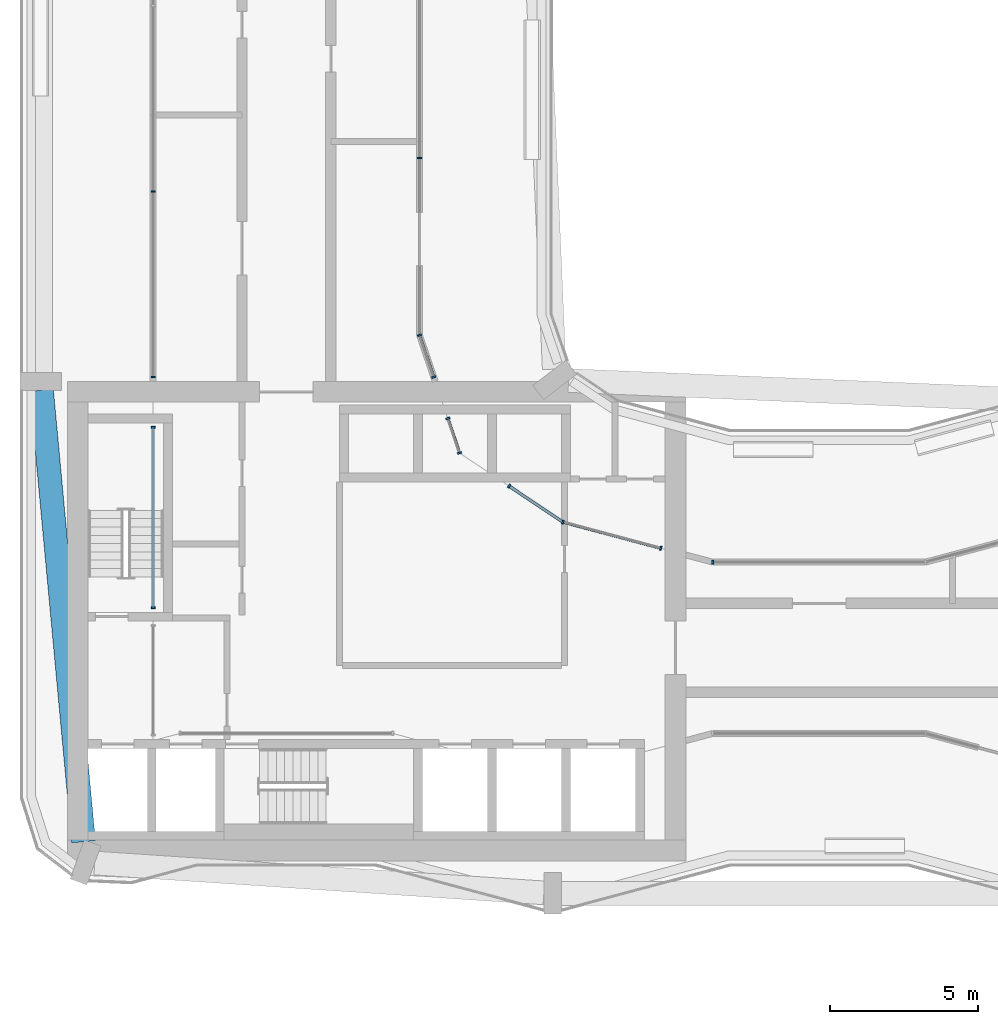
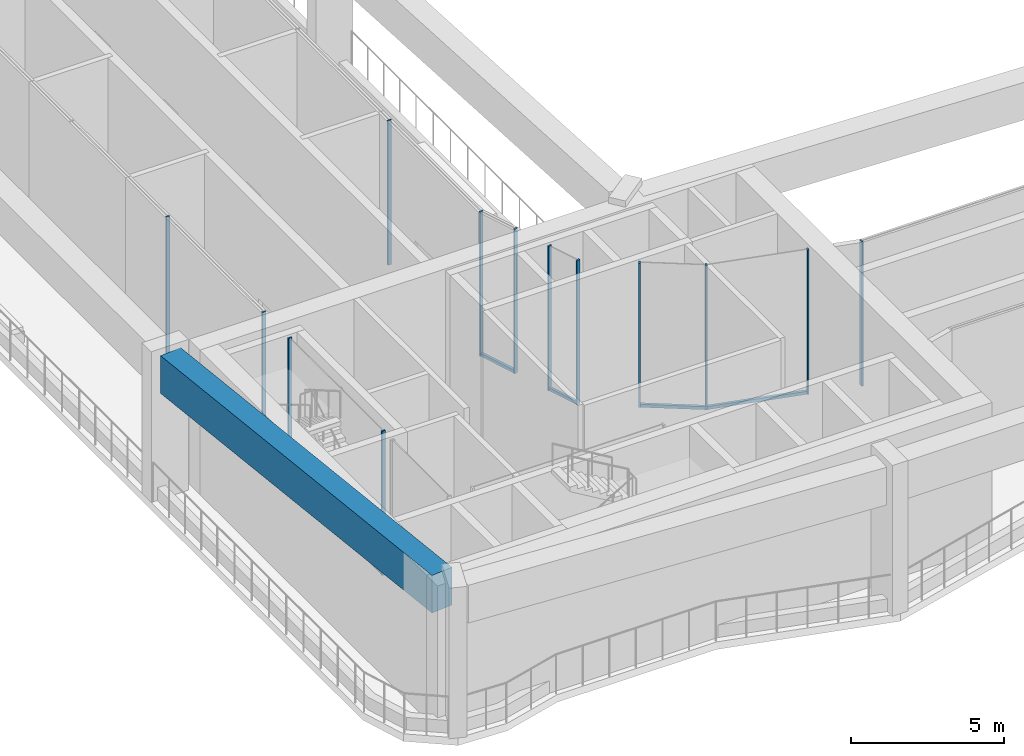
# One storey, part 3 of 24: 18 members, 1 beam, 8 elements without a shape of their own.
"""IFC4 building model written with IfcOpenShell, lengths in metres."""

from ifc_helpers import new_model, si_unit, direction, frame, origin, origin_2d, place, context, subcontext, project, spatial, rectangle, extrude, material, layer, layer_set, material_profile, profile_set, type_object, element, aggregate, save


model = new_model("IFC4")

# Units and contexts
model_context = context("Model", 3, precision=1e-05, world=origin(), true_north=direction((0.0, 1.0)))
body_context = subcontext(model_context, "Body", "Model", "MODEL_VIEW")
ifc_project = project(units=[si_unit("LENGTHUNIT", "METRE"), si_unit("AREAUNIT", "SQUARE_METRE"), si_unit("VOLUMEUNIT", "CUBIC_METRE"), si_unit("PLANEANGLEUNIT", "RADIAN"), si_unit("MASSUNIT", "GRAM", prefix="KILO")], contexts=[model_context])

# Site, building, storey
site_placement = place(None, origin())
site = spatial("IfcSite", under=ifc_project, at=site_placement, CompositionType="ELEMENT")
building_placement = place(site_placement, origin())
building = spatial("IfcBuilding", under=site, at=building_placement, Name="Plateau Cross Towers", CompositionType="ELEMENT")
storey_placement = place(building_placement, frame((0.0, 0.0, 72.300048828125)))
storey = spatial("IfcBuildingStorey", under=building, at=storey_placement, Name="L18", CompositionType="ELEMENT", Elevation=72.300048828125)

# Beam
ifc_material_1 = material(Name="Concrete C60/75", Category="concrete")
ifc_material_profile_1 = material_profile(ifc_material_1, rectangle(XDim=0.800048828125, YDim=1.5, at=origin_2d()), Name="RC 800x1500")
ifc_profile_set_1 = profile_set([ifc_material_profile_1], Name="Concrete C60/75")
beam_type = type_object("IfcBeamType", Name="Belt beam RC 800x1500", PredefinedType="BEAM", material=ifc_profile_set_1)
beam_placement = place(storey_placement, frame((0.72802734375, 17.699951171875, 5.0), z_axis=(0.092702367319, -0.995693864144, 0.0), x_axis=(0.995693864144, 0.092702367319, 0.0)))
element("IfcBeam", 1, at=beam_placement, inside=storey, type_object=beam_type, Name="BELT-L18-11", PredefinedType="BEAM", context=body_context, shape_type="SweptSolid", body=[
    extrude(rectangle(XDim=0.800048828125, YDim=1.5, at=origin_2d()), origin(), (0.0, 0.0, 1.0), 15.319580078125),
])

# Curtain wall, members
ifc_material_2 = material(Name="Dark low-iron glass", Category="glass")
ifc_layer = layer(ifc_material_2, 0.239990234375)
ifc_layer_set = layer_set([ifc_layer], Name="Dark low-iron glass")
curtain_wall_type = type_object("IfcCurtainWallType", Name="Curtain wall flush unitised CW-B", PredefinedType="NOTDEFINED", material=ifc_layer_set)
curtain_wall_1_placement = place(storey_placement, origin())
curtain_wall_1 = element("IfcCurtainWall", 2, at=curtain_wall_1_placement, inside=storey, type_object=curtain_wall_type, Name="ENV/A/L18/inner0_45_104", PredefinedType="NOTDEFINED")
ifc_material_3 = material(Name="Black anodised aluminium", Category="aluminium")
ifc_material_profile_2 = material_profile(ifc_material_3, rectangle(XDim=0.06005859375, YDim=0.139892578125, at=origin_2d()), Name="MULLION 60x140")
ifc_profile_set_2 = profile_set([ifc_material_profile_2], Name="Black anodised aluminium")
member_type_1 = type_object("IfcMemberType", Name="Mullion 60x140 flush unitised", PredefinedType="MULLION", material=ifc_profile_set_2)
member_1_placement = place(storey_placement, frame((4.5, 10.35009765625, 0.0), z_axis=(0.0, 0.0, 1.0), x_axis=(0.0, 1.0, 0.0)))
member_1 = element("IfcMember", 3, at=member_1_placement, type_object=member_type_1, Name="CW-B mullion 1", PredefinedType="MULLION", context=body_context, shape_type="SweptSolid", body=[
    extrude(rectangle(XDim=0.06005859375, YDim=0.139892578125, at=origin_2d()), origin(), (0.0, 0.0, 1.0), 5.75),
])
member_2_placement = place(storey_placement, frame((4.5, 16.449951171875, 0.0), z_axis=(0.0, 0.0, 1.0), x_axis=(0.0, 1.0, 0.0)))
member_2 = element("IfcMember", 4, at=member_2_placement, type_object=member_type_1, Name="CW-B mullion 2", PredefinedType="MULLION", context=body_context, shape_type="SweptSolid", body=[
    extrude(rectangle(XDim=0.06005859375, YDim=0.139892578125, at=origin_2d()), origin(), (0.0, 0.0, 1.0), 5.75),
])

curtain_wall_2_placement = place(storey_placement, origin())
curtain_wall_2 = element("IfcCurtainWall", 5, at=curtain_wall_2_placement, inside=storey, type_object=curtain_wall_type, Name="ENV/A/L18/inner0_45_182", PredefinedType="NOTDEFINED")
member_3_placement = place(storey_placement, frame((4.5, 18.14990234375, 0.0), z_axis=(0.0, 0.0, 1.0), x_axis=(0.0, 1.0, 0.0)))
member_3 = element("IfcMember", 6, at=member_3_placement, type_object=member_type_1, Name="CW-B mullion 1", PredefinedType="MULLION", context=body_context, shape_type="SweptSolid", body=[
    extrude(rectangle(XDim=0.06005859375, YDim=0.139892578125, at=origin_2d()), origin(), (0.0, 0.0, 1.0), 5.75),
])
member_4_placement = place(storey_placement, frame((4.5, 24.419921875, 0.0), z_axis=(0.0, 0.0, 1.0), x_axis=(0.0, 1.0, 0.0)))
member_4 = element("IfcMember", 7, at=member_4_placement, type_object=member_type_1, Name="CW-B mullion 2", PredefinedType="MULLION", context=body_context, shape_type="SweptSolid", body=[
    extrude(rectangle(XDim=0.06005859375, YDim=0.139892578125, at=origin_2d()), origin(), (0.0, 0.0, 1.0), 5.75),
])
aggregate(curtain_wall_2, [member_3, member_4])

# Curtain wall, member
curtain_wall_3_placement = place(storey_placement, origin())
curtain_wall_3 = element("IfcCurtainWall", 8, at=curtain_wall_3_placement, inside=storey, type_object=curtain_wall_type, Name="ENV/A/L18/inner0_135_495", PredefinedType="NOTDEFINED")
member_5_placement = place(storey_placement, frame((13.5, 25.54736328125, 0.0), z_axis=(0.0, 0.0, 1.0), x_axis=(0.0, -1.0, 0.0)))
member_5 = element("IfcMember", 9, at=member_5_placement, type_object=member_type_1, Name="CW-B mullion 5", PredefinedType="MULLION", context=body_context, shape_type="SweptSolid", body=[
    extrude(rectangle(XDim=0.06005859375, YDim=0.139892578125, at=origin_2d()), origin(), (0.0, 0.0, 1.0), 5.75),
])
aggregate(curtain_wall_3, [member_5])

# Curtain wall, members
curtain_wall_4_placement = place(storey_placement, origin())
curtain_wall_4 = element("IfcCurtainWall", 10, at=curtain_wall_4_placement, inside=storey, type_object=curtain_wall_type, Name="ENV/A/L18/inner0_135_196", PredefinedType="NOTDEFINED")
member_6_placement = place(storey_placement, frame((13.5, 19.559326171875, 0.0), z_axis=(0.0, 0.0, 1.0), x_axis=(0.321469161574, -0.94692004845, 0.0)))
member_6 = element("IfcMember", 11, at=member_6_placement, type_object=member_type_1, Name="CW-B mullion 1", PredefinedType="MULLION", context=body_context, shape_type="SweptSolid", body=[
    extrude(rectangle(XDim=0.06005859375, YDim=0.139892578125, at=origin_2d()), origin(), (0.0, 0.0, 1.0), 5.75),
])
member_7_placement = place(storey_placement, frame((13.97900390625, 18.1484375, 0.0), z_axis=(0.0, 0.0, 1.0), x_axis=(0.321469161574, -0.94692004845, 0.0)))
member_7 = element("IfcMember", 12, at=member_7_placement, type_object=member_type_1, Name="CW-B mullion 2", PredefinedType="MULLION", context=body_context, shape_type="SweptSolid", body=[
    extrude(rectangle(XDim=0.06005859375, YDim=0.139892578125, at=origin_2d()), origin(), (0.0, 0.0, 1.0), 5.75),
])

curtain_wall_5_placement = place(storey_placement, origin())
curtain_wall_5 = element("IfcCurtainWall", 13, at=curtain_wall_5_placement, inside=storey, type_object=curtain_wall_type, Name="ENV/A/L18/inner0_145_168", PredefinedType="NOTDEFINED")
member_8_placement = place(storey_placement, frame((14.453125, 16.751708984375, 0.0), z_axis=(0.0, 0.0, 1.0), x_axis=(0.321469161574, -0.94692004845, 0.0)))
member_8 = element("IfcMember", 14, at=member_8_placement, type_object=member_type_1, Name="CW-B mullion 1", PredefinedType="MULLION", context=body_context, shape_type="SweptSolid", body=[
    extrude(rectangle(XDim=0.06005859375, YDim=0.139892578125, at=origin_2d()), origin(), (0.0, 0.0, 1.0), 5.75),
])
member_9_placement = place(storey_placement, frame((14.85009765625, 15.58251953125, 0.0), z_axis=(0.0, 0.0, 1.0), x_axis=(0.321469161574, -0.94692004845, 0.0)))
member_9 = element("IfcMember", 15, at=member_9_placement, type_object=member_type_1, Name="CW-B mullion 2", PredefinedType="MULLION", context=body_context, shape_type="SweptSolid", body=[
    extrude(rectangle(XDim=0.06005859375, YDim=0.139892578125, at=origin_2d()), origin(), (0.0, 0.0, 1.0), 5.75),
])

# Curtain wall, member
curtain_wall_6_placement = place(storey_placement, origin())
curtain_wall_6 = element("IfcCurtainWall", 16, at=curtain_wall_6_placement, inside=storey, type_object=curtain_wall_type, Name="ENV/A/L18/inner0_165_145", PredefinedType="NOTDEFINED")
member_10_placement = place(storey_placement, frame((16.525390625, 14.46337890625, 0.0), z_axis=(0.0, 0.0, 1.0), x_axis=(0.831521253329, -0.555492938984, 0.0)))
member_10 = element("IfcMember", 17, at=member_10_placement, type_object=member_type_1, Name="CW-B mullion 1", PredefinedType="MULLION", context=body_context, shape_type="SweptSolid", body=[
    extrude(rectangle(XDim=0.06005859375, YDim=0.139892578125, at=origin_2d()), origin(), (0.0, 0.0, 1.0), 5.75),
])

# Curtain wall, members
curtain_wall_7_placement = place(storey_placement, origin())
curtain_wall_7 = element("IfcCurtainWall", 18, at=curtain_wall_7_placement, inside=storey, type_object=curtain_wall_type, Name="ENV/A/L18/inner0_183_132", PredefinedType="NOTDEFINED")
member_11_placement = place(storey_placement, frame((18.342041015625, 13.249755859375, 0.0), z_axis=(0.0, 0.0, 1.0), x_axis=(0.965957995816, -0.258698956933, 0.0)))
member_11 = element("IfcMember", 19, at=member_11_placement, type_object=member_type_1, Name="CW-B mullion 1", PredefinedType="MULLION", context=body_context, shape_type="SweptSolid", body=[
    extrude(rectangle(XDim=0.06005859375, YDim=0.139892578125, at=origin_2d()), origin(), (0.0, 0.0, 1.0), 5.75),
])
member_12_placement = place(storey_placement, frame((21.651123046875, 12.363525390625, 0.0), z_axis=(0.0, 0.0, 1.0), x_axis=(0.965957995816, -0.258698956933, 0.0)))
member_12 = element("IfcMember", 20, at=member_12_placement, type_object=member_type_1, Name="CW-B mullion 2", PredefinedType="MULLION", context=body_context, shape_type="SweptSolid", body=[
    extrude(rectangle(XDim=0.06005859375, YDim=0.139892578125, at=origin_2d()), origin(), (0.0, 0.0, 1.0), 5.75),
])

# Curtain wall, member
curtain_wall_8_placement = place(storey_placement, origin())
curtain_wall_8 = element("IfcCurtainWall", 21, at=curtain_wall_8_placement, inside=storey, type_object=curtain_wall_type, Name="ENV/A/L18/inner0_234_119", PredefinedType="NOTDEFINED")
member_13_placement = place(storey_placement, frame((23.407958984375, 11.89306640625, 0.0), z_axis=(0.0, 0.0, 1.0), x_axis=(1.0, 0.0, 0.0)))
member_13 = element("IfcMember", 22, at=member_13_placement, type_object=member_type_1, Name="CW-B mullion 1", PredefinedType="MULLION", context=body_context, shape_type="SweptSolid", body=[
    extrude(rectangle(XDim=0.06005859375, YDim=0.139892578125, at=origin_2d()), origin(), (0.0, 0.0, 1.0), 5.75),
])
aggregate(curtain_wall_8, [member_13])

# Member
ifc_material_profile_3 = material_profile(ifc_material_3, rectangle(XDim=0.10009765625, YDim=0.1201171875, at=origin_2d()), Name="TRANSOM 100x120")
ifc_profile_set_3 = profile_set([ifc_material_profile_3], Name="Black anodised aluminium")
member_type_2 = type_object("IfcMemberType", Name="Transom 100x120 flush unitised", PredefinedType="USERDEFINED", material=ifc_profile_set_3)
member_14_placement = place(storey_placement, frame((4.5, 10.35009765625, 0.06005859375), z_axis=(0.0, 1.0, 0.0), x_axis=(-1.0, 0.0, 0.0)))
member_14 = element("IfcMember", 23, at=member_14_placement, type_object=member_type_2, Name="CW-B transom", ObjectType="TRANSOM", PredefinedType="USERDEFINED", context=body_context, shape_type="SweptSolid", body=[
    extrude(rectangle(XDim=0.10009765625, YDim=0.1201171875, at=origin_2d()), origin(), (0.0, 0.0, 1.0), 6.099853515625),
])

aggregate(curtain_wall_1, [member_1, member_2, member_14])

member_15_placement = place(storey_placement, frame((13.5, 19.559326171875, 0.06005859375), z_axis=(0.321482636991, -0.946915473584, 0.0), x_axis=(0.946915473584, 0.321482636991, 0.0)))
member_15 = element("IfcMember", 24, at=member_15_placement, type_object=member_type_2, Name="CW-B transom", ObjectType="TRANSOM", PredefinedType="USERDEFINED", context=body_context, shape_type="SweptSolid", body=[
    extrude(rectangle(XDim=0.10009765625, YDim=0.1201171875, at=origin_2d()), origin(), (0.0, 0.0, 1.0), 1.489990234375),
])

aggregate(curtain_wall_4, [member_6, member_7, member_15])

member_16_placement = place(storey_placement, frame((14.453125, 16.751708984375, 0.06005859375), z_axis=(0.321502148402, -0.946908849137, 0.0), x_axis=(0.946908849137, 0.321502148402, 0.0)))
member_16 = element("IfcMember", 25, at=member_16_placement, type_object=member_type_2, Name="CW-B transom", ObjectType="TRANSOM", PredefinedType="USERDEFINED", context=body_context, shape_type="SweptSolid", body=[
    extrude(rectangle(XDim=0.10009765625, YDim=0.1201171875, at=origin_2d()), origin(), (0.0, 0.0, 1.0), 1.23486328125),
])

aggregate(curtain_wall_5, [member_8, member_9, member_16])

member_17_placement = place(storey_placement, frame((16.525390625, 14.46337890625, 0.06005859375), z_axis=(0.831516958237, -0.555499368284, 0.0), x_axis=(0.555499368284, 0.831516958237, 0.0)))
member_17 = element("IfcMember", 26, at=member_17_placement, type_object=member_type_2, Name="CW-B transom", ObjectType="TRANSOM", PredefinedType="USERDEFINED", context=body_context, shape_type="SweptSolid", body=[
    extrude(rectangle(XDim=0.10009765625, YDim=0.1201171875, at=origin_2d()), origin(), (0.0, 0.0, 1.0), 2.184814453125),
])

aggregate(curtain_wall_6, [member_10, member_17])

member_18_placement = place(storey_placement, frame((18.342041015625, 13.249755859375, 0.06005859375), z_axis=(0.96595759274, -0.258700461978, 0.0), x_axis=(0.258700461978, 0.96595759274, 0.0)))
member_18 = element("IfcMember", 27, at=member_18_placement, type_object=member_type_2, Name="CW-B transom", ObjectType="TRANSOM", PredefinedType="USERDEFINED", context=body_context, shape_type="SweptSolid", body=[
    extrude(rectangle(XDim=0.10009765625, YDim=0.1201171875, at=origin_2d()), origin(), (0.0, 0.0, 1.0), 3.42578125),
])

aggregate(curtain_wall_7, [member_11, member_12, member_18])

save(model, "model.ifc")
